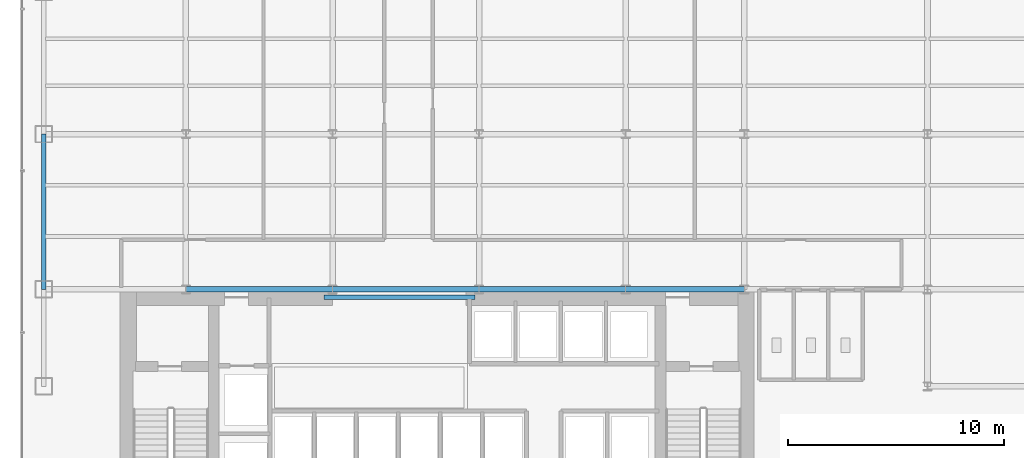
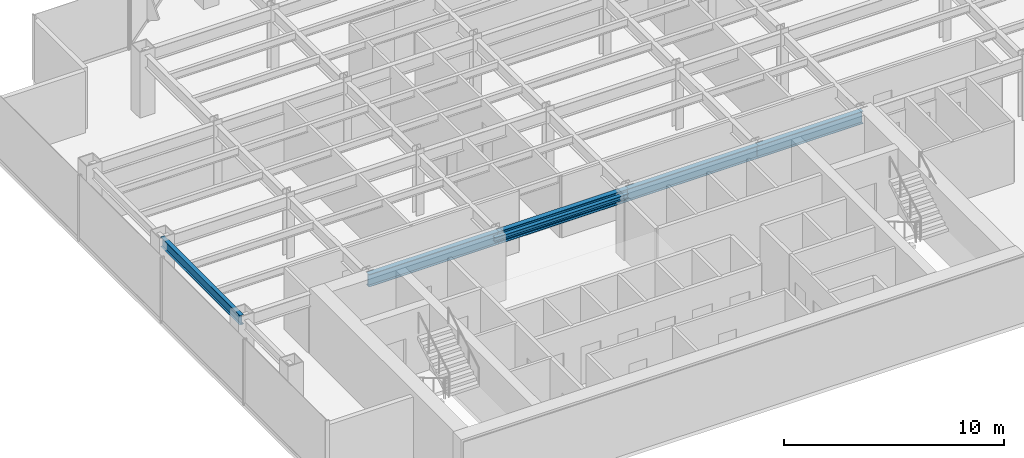
# One storey, part 3 of 26: 6 beams.
"""IFC4 building model written with IfcOpenShell, lengths in metres."""

from ifc_helpers import new_model, si_unit, derived_unit, direction, frame, origin, origin_2d, place, context, subcontext, project, spatial, i_section, extrude, source, transform, mapped, material, material_profile, profile_set, type_object, element, save


model = new_model("IFC4")

# Units and contexts
model_context = context("Model", 3, precision=1e-05, world=origin(), true_north=direction((0.0, 1.0)))
body_context = subcontext(model_context, "Body", "Model", "MODEL_VIEW")
ifc_project = project(units=[si_unit("LENGTHUNIT", "METRE"), si_unit("AREAUNIT", "SQUARE_METRE"), si_unit("VOLUMEUNIT", "CUBIC_METRE"), si_unit("PLANEANGLEUNIT", "RADIAN"), si_unit("MASSUNIT", "GRAM", prefix="KILO"), derived_unit("THERMALTRANSMITTANCEUNIT", [(si_unit("POWERUNIT", "WATT"), 1), (si_unit("LENGTHUNIT", "METRE"), -2), (si_unit("THERMODYNAMICTEMPERATUREUNIT", "KELVIN"), -1)])], contexts=[model_context])

# Site, building, storey
site_placement = place(None, origin())
site = spatial("IfcSite", under=ifc_project, at=site_placement, CompositionType="ELEMENT")
building_placement = place(site_placement, origin())
building = spatial("IfcBuilding", under=site, at=building_placement, Name="Skarnbrae Concourse Arena and Tower", CompositionType="ELEMENT")
storey_placement = place(building_placement, frame((0.0, 0.0, 110.550048828125)))
storey = spatial("IfcBuildingStorey", under=building, at=storey_placement, Name="L27", CompositionType="ELEMENT", Elevation=110.550048828125)

# Beams
ifc_material = material(Name="Steel CSA G40.21 350W", Category="steel")
ifc_material_profile_1 = material_profile(ifc_material, i_section(OverallWidth=0.202880859375, OverallDepth=0.251953125, WebThickness=0.008056640625, FlangeThickness=0.013427734375, at=origin_2d()), Name="W250X58")
ifc_profile_set_1 = profile_set([ifc_material_profile_1], Name="Steel CSA G40.21 350W")
beam_type_1 = type_object("IfcBeamType", Name="BM-LINTEL-W250X58", PredefinedType="LINTEL", material=ifc_profile_set_1)
shared_shape_1 = source(origin(), body_context, "Body", "SweptSolid", [
    extrude(i_section(OverallWidth=0.202880859375, OverallDepth=0.251953125, WebThickness=0.008056640625, FlangeThickness=0.013427734375, at=origin_2d()), origin(), (0.0, 0.0, 1.0), 7.0),
])
beam_1_placement = place(storey_placement, frame((14.0, 13.625, 3.27392578125), z_axis=(1.0, 0.0, 0.0), x_axis=(0.0, 1.0, 0.0)))
element("IfcBeam", 1, at=beam_1_placement, inside=storey, type_object=beam_type_1, Name="L27 Core portal coupling lintel", PredefinedType="LINTEL", context=body_context, shape_type="MappedRepresentation", body=[
    mapped(shared_shape_1, transform((0.0, 0.0, 0.0))),
])
ifc_material_profile_2 = material_profile(ifc_material, i_section(OverallWidth=0.256103515625, OverallDepth=0.693115234375, WebThickness=0.014404296875, FlangeThickness=0.023681640625, at=origin_2d()), Name="W690X170")
ifc_profile_set_2 = profile_set([ifc_material_profile_2], Name="Steel CSA G40.21 350W")
beam_type_2 = type_object("IfcBeamType", Name="BM-GIRD-W690X170", PredefinedType="BEAM", material=ifc_profile_set_2)
shared_shape_2 = source(origin(), body_context, "Body", "SweptSolid", [
    extrude(i_section(OverallWidth=0.256103515625, OverallDepth=0.693115234375, WebThickness=0.014404296875, FlangeThickness=0.023681640625, at=origin_2d()), origin(), (0.0, 0.0, 1.0), 6.7998046875),
])
beam_2_placement = place(storey_placement, frame((7.60009765625, 14.0, 3.053466796875), z_axis=(1.0, 0.0, 0.0), x_axis=(0.0, 1.0, 0.0)))
element("IfcBeam", 2, at=beam_2_placement, inside=storey, type_object=beam_type_2, Name="L27 Primary E-W girder Y14.0-2", PredefinedType="BEAM", context=body_context, shape_type="MappedRepresentation", body=[
    mapped(shared_shape_2, transform((0.0, 0.0, 0.0))),
])
shared_shape_3 = source(origin(), body_context, "Body", "SweptSolid", [
    extrude(i_section(OverallWidth=0.256103515625, OverallDepth=0.693115234375, WebThickness=0.014404296875, FlangeThickness=0.023681640625, at=origin_2d()), origin(), (0.0, 0.0, 1.0), 6.800048828125),
])
for number, where, z_axis, x_axis, name in (
    (3, (14.39990234375, 14.0, 3.053466796875), (1.0, 0.0, 0.0), (0.0, 1.0, 0.0), "L27 Primary E-W girder Y14.0-3"),
    (4, (21.199951171875, 14.0, 3.053466796875), (1.0, 0.0, 0.0), (0.0, 1.0, 0.0), "L27 Primary E-W girder Y14.0-4"),
):
    element("IfcBeam", number, at=place(storey_placement, frame(where, z_axis=z_axis, x_axis=x_axis)), inside=storey, type_object=beam_type_2, Name=name, PredefinedType="BEAM", context=body_context, shape_type="MappedRepresentation", body=[
        mapped(shared_shape_3, transform((0.0, 0.0, 0.0))),
    ])
shared_shape_4 = source(origin(), body_context, "Body", "SweptSolid", [
    extrude(i_section(OverallWidth=0.256103515625, OverallDepth=0.693115234375, WebThickness=0.014404296875, FlangeThickness=0.023681640625, at=origin_2d()), origin(), (0.0, 0.0, 1.0), 5.5),
])
beam_3_placement = place(storey_placement, frame((28.0, 14.0, 3.053466796875), z_axis=(1.0, 0.0, 0.0), x_axis=(0.0, 1.0, 0.0)))
element("IfcBeam", 5, at=beam_3_placement, inside=storey, type_object=beam_type_2, Name="L27 Primary E-W girder Y14.0-5", PredefinedType="BEAM", context=body_context, shape_type="MappedRepresentation", body=[
    mapped(shared_shape_4, transform((0.0, 0.0, 0.0))),
])
ifc_material_profile_3 = material_profile(ifc_material, i_section(OverallWidth=0.208984375, OverallDepth=0.532958984375, WebThickness=0.01025390625, FlangeThickness=0.015625, at=origin_2d()), Name="W530X92")
ifc_profile_set_3 = profile_set([ifc_material_profile_3], Name="Steel CSA G40.21 350W")
beam_type_3 = type_object("IfcBeamType", Name="BM-SPAN-W530X92", PredefinedType="SPANDREL", material=ifc_profile_set_3)
shared_shape_5 = source(origin(), body_context, "Body", "SweptSolid", [
    extrude(i_section(OverallWidth=0.208984375, OverallDepth=0.532958984375, WebThickness=0.01025390625, FlangeThickness=0.015625, at=origin_2d()), origin(), (0.0, 0.0, 1.0), 7.199951171875),
])
beam_4_placement = place(storey_placement, frame((1.0, 14.0, 3.133544921875), z_axis=(0.0, 1.0, 0.0), x_axis=(-1.0, 0.0, 0.0)))
element("IfcBeam", 6, at=beam_4_placement, inside=storey, type_object=beam_type_3, Name="L27 Perimeter spandrel X1.0-2", PredefinedType="SPANDREL", context=body_context, shape_type="MappedRepresentation", body=[
    mapped(shared_shape_5, transform((0.0, 0.0, 0.0))),
])

save(model, "model.ifc")
